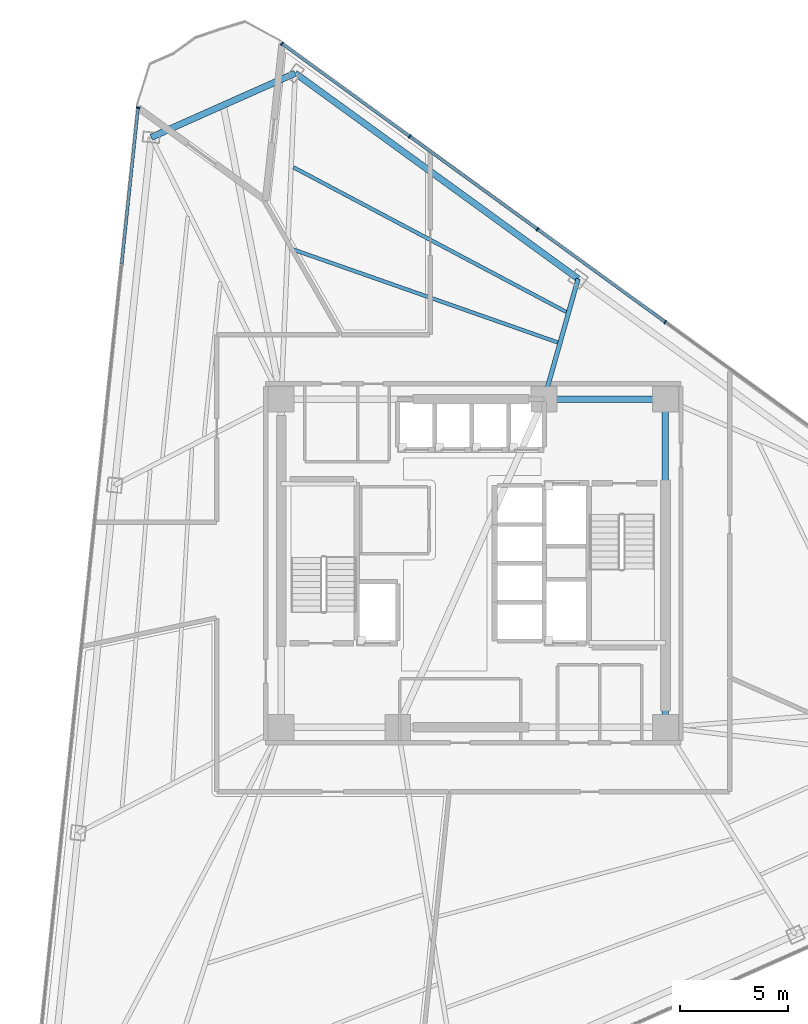
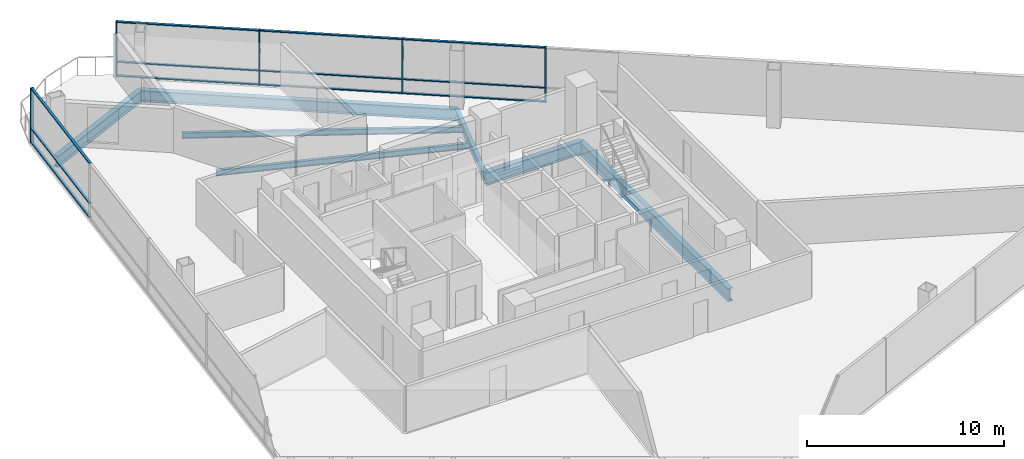
# One storey, part 8 of 16: 17 members, 7 beams, 2 elements without a shape of their own.
"""IFC4 building model written with IfcOpenShell, lengths in metres."""

from ifc_helpers import new_model, si_unit, direction, frame, origin, origin_2d, place, context, subcontext, project, spatial, rectangle, i_section, extrude, material, layer, layer_set, material_profile, profile_set, type_object, element, aggregate, save


model = new_model("IFC4")

# Units and contexts
model_context = context("Model", 3, precision=1e-05, world=origin(), true_north=direction((0.0, 1.0)))
body_context = subcontext(model_context, "Body", "Model", "MODEL_VIEW")
ifc_project = project(units=[si_unit("LENGTHUNIT", "METRE"), si_unit("AREAUNIT", "SQUARE_METRE"), si_unit("VOLUMEUNIT", "CUBIC_METRE"), si_unit("PLANEANGLEUNIT", "RADIAN"), si_unit("MASSUNIT", "GRAM", prefix="KILO")], contexts=[model_context])

# Site, building, storey
site_placement = place(None, origin())
site = spatial("IfcSite", under=ifc_project, at=site_placement, CompositionType="ELEMENT")
building_placement = place(site_placement, origin())
building = spatial("IfcBuilding", under=site, at=building_placement, Name="Tharavind Bronze Gate", CompositionType="ELEMENT")
storey_placement = place(building_placement, frame((0.0, 0.0, 130.449951171875)))
storey = spatial("IfcBuildingStorey", under=building, at=storey_placement, Name="L33", CompositionType="ELEMENT", Elevation=130.449951171875)

# Curtain wall, member
ifc_material_1 = material(Name="Anodised Bronze Aluminium", Category="aluminium")
ifc_layer = layer(ifc_material_1, 0.219970703125)
ifc_layer_set = layer_set([ifc_layer], Name="Anodised Bronze Aluminium")
curtain_wall_type = type_object("IfcCurtainWallType", Name="UNITISED CURTAIN WALL LOWER OFFICE", PredefinedType="USERDEFINED", material=ifc_layer_set)
curtain_wall_1_placement = place(storey_placement, origin())
curtain_wall_1 = element("IfcCurtainWall", 1, at=curtain_wall_1_placement, inside=storey, type_object=curtain_wall_type, Name="L33 unitised curtain wall lower office CW-L33-S1", ObjectType="UNITISED CURTAIN WALL", PredefinedType="USERDEFINED")
member_type_1 = type_object("IfcMemberType", Name="CURTAIN WALL BRONZE MULLION 65X180", PredefinedType="MULLION", material=ifc_material_1)
member_1_placement = place(storey_placement, frame((-15.527587890625, 21.101806640625, 0.0), z_axis=(0.0, 0.0, 1.0), x_axis=(-0.104526727499, -0.994522077803, 0.0)))
member_1 = element("IfcMember", 2, at=member_1_placement, type_object=member_type_1, Name="CW-L33-S1 mullion 1", PredefinedType="MULLION", context=body_context, shape_type="SweptSolid", body=[
    extrude(rectangle(XDim=0.06494140625, YDim=0.179931640625, at=origin_2d()), origin(), (0.0, 0.0, 1.0), 3.409912109375),
])

# Curtain wall, members
curtain_wall_2_placement = place(storey_placement, origin())
curtain_wall_2 = element("IfcCurtainWall", 3, at=curtain_wall_2_placement, inside=storey, type_object=curtain_wall_type, Name="L33 unitised curtain wall lower office CW-L33-S3", ObjectType="UNITISED CURTAIN WALL", PredefinedType="USERDEFINED")
member_2_placement = place(storey_placement, frame((8.89111328125, 11.1748046875, 0.0), z_axis=(0.0, 0.0, 1.0), x_axis=(-0.809016994375, 0.587785252292, 0.0)))
member_2 = element("IfcMember", 4, at=member_2_placement, type_object=member_type_1, Name="CW-L33-S3 mullion 5", PredefinedType="MULLION", context=body_context, shape_type="SweptSolid", body=[
    extrude(rectangle(XDim=0.06494140625, YDim=0.179931640625, at=origin_2d()), origin(), (0.0, 0.0, 1.0), 3.409912109375),
])
member_3_placement = place(storey_placement, frame((2.974609375, 15.473388671875, 0.0), z_axis=(0.0, 0.0, 1.0), x_axis=(-0.809016994375, 0.587785252292, 0.0)))
member_3 = element("IfcMember", 5, at=member_3_placement, type_object=member_type_1, Name="CW-L33-S3 mullion 6", PredefinedType="MULLION", context=body_context, shape_type="SweptSolid", body=[
    extrude(rectangle(XDim=0.06494140625, YDim=0.179931640625, at=origin_2d()), origin(), (0.0, 0.0, 1.0), 3.409912109375),
])
member_4_placement = place(storey_placement, frame((-2.942138671875, 19.772216796875, 0.0), z_axis=(0.0, 0.0, 1.0), x_axis=(-0.809016994375, 0.587785252292, 0.0)))
member_4 = element("IfcMember", 6, at=member_4_placement, type_object=member_type_1, Name="CW-L33-S3 mullion 7", PredefinedType="MULLION", context=body_context, shape_type="SweptSolid", body=[
    extrude(rectangle(XDim=0.06494140625, YDim=0.179931640625, at=origin_2d()), origin(), (0.0, 0.0, 1.0), 3.409912109375),
])
member_5_placement = place(storey_placement, frame((-8.85888671875, 24.07080078125, 0.0), z_axis=(0.0, 0.0, 1.0), x_axis=(-0.809016994375, 0.587785252292, 0.0)))
member_5 = element("IfcMember", 7, at=member_5_placement, type_object=member_type_1, Name="CW-L33-S3 mullion 8", PredefinedType="MULLION", context=body_context, shape_type="SweptSolid", body=[
    extrude(rectangle(XDim=0.06494140625, YDim=0.179931640625, at=origin_2d()), origin(), (0.0, 0.0, 1.0), 3.409912109375),
])

# Member
member_type_2 = type_object("IfcMemberType", Name="CURTAIN WALL BRONZE TRANSOM 65X140", PredefinedType="USERDEFINED", material=ifc_material_1)
member_6_placement = place(storey_placement, frame((-15.909912109375, 17.465087890625, 0.0), z_axis=(0.0, 0.0, 1.0), x_axis=(-0.104526727499, -0.994522077803, 0.0)))
member_6 = element("IfcMember", 8, at=member_6_placement, type_object=member_type_2, Name="CW-L33-S1 transom TB1", ObjectType="TRANSOM", PredefinedType="USERDEFINED", context=body_context, shape_type="SweptSolid", body=[
    extrude(rectangle(XDim=7.26025390625, YDim=0.139892578125, at=origin_2d()), origin(), (0.0, 0.0, 1.0), 0.06494140625),
])

member_7_placement = place(storey_placement, frame((-15.909912109375, 17.465087890625, 0.86767578125), z_axis=(0.0, 0.0, 1.0), x_axis=(-0.104526727499, -0.994522077803, 0.0)))
member_7 = element("IfcMember", 9, at=member_7_placement, type_object=member_type_2, Name="CW-L33-S1 transom TS1", ObjectType="TRANSOM", PredefinedType="USERDEFINED", context=body_context, shape_type="SweptSolid", body=[
    extrude(rectangle(XDim=7.26025390625, YDim=0.139892578125, at=origin_2d()), origin(), (0.0, 0.0, 1.0), 0.06494140625),
])

member_8_placement = place(storey_placement, frame((-15.909912109375, 17.465087890625, 3.344970703125), z_axis=(0.0, 0.0, 1.0), x_axis=(-0.104526727499, -0.994522077803, 0.0)))
member_8 = element("IfcMember", 10, at=member_8_placement, type_object=member_type_2, Name="CW-L33-S1 transom TT1", ObjectType="TRANSOM", PredefinedType="USERDEFINED", context=body_context, shape_type="SweptSolid", body=[
    extrude(rectangle(XDim=7.26025390625, YDim=0.139892578125, at=origin_2d()), origin(), (0.0, 0.0, 1.0), 0.06494140625),
])

aggregate(curtain_wall_1, [member_1, member_6, member_7, member_8])

member_9_placement = place(storey_placement, frame((5.932861328125, 13.32421875, 0.0), z_axis=(0.0, 0.0, 1.0), x_axis=(-0.809016994375, 0.587785252292, 0.0)))
member_9 = element("IfcMember", 11, at=member_9_placement, type_object=member_type_2, Name="CW-L33-S3 transom TB5", ObjectType="TRANSOM", PredefinedType="USERDEFINED", context=body_context, shape_type="SweptSolid", body=[
    extrude(rectangle(XDim=7.260498046875, YDim=0.139892578125, at=origin_2d()), origin(), (0.0, 0.0, 1.0), 0.06494140625),
])

member_10_placement = place(storey_placement, frame((5.932861328125, 13.32421875, 0.86767578125), z_axis=(0.0, 0.0, 1.0), x_axis=(-0.809016994375, 0.587785252292, 0.0)))
member_10 = element("IfcMember", 12, at=member_10_placement, type_object=member_type_2, Name="CW-L33-S3 transom TS5", ObjectType="TRANSOM", PredefinedType="USERDEFINED", context=body_context, shape_type="SweptSolid", body=[
    extrude(rectangle(XDim=7.260498046875, YDim=0.139892578125, at=origin_2d()), origin(), (0.0, 0.0, 1.0), 0.06494140625),
])

member_11_placement = place(storey_placement, frame((5.932861328125, 13.32421875, 3.344970703125), z_axis=(0.0, 0.0, 1.0), x_axis=(-0.809016994375, 0.587785252292, 0.0)))
member_11 = element("IfcMember", 13, at=member_11_placement, type_object=member_type_2, Name="CW-L33-S3 transom TT5", ObjectType="TRANSOM", PredefinedType="USERDEFINED", context=body_context, shape_type="SweptSolid", body=[
    extrude(rectangle(XDim=7.260498046875, YDim=0.139892578125, at=origin_2d()), origin(), (0.0, 0.0, 1.0), 0.06494140625),
])

member_12_placement = place(storey_placement, frame((0.01611328125, 17.622802734375, 0.0), z_axis=(0.0, 0.0, 1.0), x_axis=(-0.809016994375, 0.587785252292, 0.0)))
member_12 = element("IfcMember", 14, at=member_12_placement, type_object=member_type_2, Name="CW-L33-S3 transom TB6", ObjectType="TRANSOM", PredefinedType="USERDEFINED", context=body_context, shape_type="SweptSolid", body=[
    extrude(rectangle(XDim=7.260498046875, YDim=0.139892578125, at=origin_2d()), origin(), (0.0, 0.0, 1.0), 0.06494140625),
])

member_13_placement = place(storey_placement, frame((0.01611328125, 17.622802734375, 0.86767578125), z_axis=(0.0, 0.0, 1.0), x_axis=(-0.809016994375, 0.587785252292, 0.0)))
member_13 = element("IfcMember", 15, at=member_13_placement, type_object=member_type_2, Name="CW-L33-S3 transom TS6", ObjectType="TRANSOM", PredefinedType="USERDEFINED", context=body_context, shape_type="SweptSolid", body=[
    extrude(rectangle(XDim=7.260498046875, YDim=0.139892578125, at=origin_2d()), origin(), (0.0, 0.0, 1.0), 0.06494140625),
])

member_14_placement = place(storey_placement, frame((0.01611328125, 17.622802734375, 3.344970703125), z_axis=(0.0, 0.0, 1.0), x_axis=(-0.809016994375, 0.587785252292, 0.0)))
member_14 = element("IfcMember", 16, at=member_14_placement, type_object=member_type_2, Name="CW-L33-S3 transom TT6", ObjectType="TRANSOM", PredefinedType="USERDEFINED", context=body_context, shape_type="SweptSolid", body=[
    extrude(rectangle(XDim=7.260498046875, YDim=0.139892578125, at=origin_2d()), origin(), (0.0, 0.0, 1.0), 0.06494140625),
])

member_15_placement = place(storey_placement, frame((-5.900390625, 21.921630859375, 0.0), z_axis=(0.0, 0.0, 1.0), x_axis=(-0.809016994375, 0.587785252292, 0.0)))
member_15 = element("IfcMember", 17, at=member_15_placement, type_object=member_type_2, Name="CW-L33-S3 transom TB7", ObjectType="TRANSOM", PredefinedType="USERDEFINED", context=body_context, shape_type="SweptSolid", body=[
    extrude(rectangle(XDim=7.260498046875, YDim=0.139892578125, at=origin_2d()), origin(), (0.0, 0.0, 1.0), 0.06494140625),
])

member_16_placement = place(storey_placement, frame((-5.900390625, 21.921630859375, 0.86767578125), z_axis=(0.0, 0.0, 1.0), x_axis=(-0.809016994375, 0.587785252292, 0.0)))
member_16 = element("IfcMember", 18, at=member_16_placement, type_object=member_type_2, Name="CW-L33-S3 transom TS7", ObjectType="TRANSOM", PredefinedType="USERDEFINED", context=body_context, shape_type="SweptSolid", body=[
    extrude(rectangle(XDim=7.260498046875, YDim=0.139892578125, at=origin_2d()), origin(), (0.0, 0.0, 1.0), 0.06494140625),
])

member_17_placement = place(storey_placement, frame((-5.900390625, 21.921630859375, 3.344970703125), z_axis=(0.0, 0.0, 1.0), x_axis=(-0.809016994375, 0.587785252292, 0.0)))
member_17 = element("IfcMember", 19, at=member_17_placement, type_object=member_type_2, Name="CW-L33-S3 transom TT7", ObjectType="TRANSOM", PredefinedType="USERDEFINED", context=body_context, shape_type="SweptSolid", body=[
    extrude(rectangle(XDim=7.260498046875, YDim=0.139892578125, at=origin_2d()), origin(), (0.0, 0.0, 1.0), 0.06494140625),
])

aggregate(curtain_wall_2, [member_2, member_3, member_4, member_5, member_9, member_10, member_11, member_12, member_13, member_14, member_15, member_16, member_17])

# Beams
ifc_material_2 = material(Name="Steel S355", Category="steel")
ifc_material_profile_1 = material_profile(ifc_material_2, i_section(OverallWidth=0.2099609375, OverallDepth=0.550048828125, WebThickness=0.010986328125, FlangeThickness=0.01708984375, at=origin_2d()), Name="IPE550")
ifc_profile_set_1 = profile_set([ifc_material_profile_1], Name="Steel S355")
beam_type_1 = type_object("IfcBeamType", Name="PRIMARY GIRDER IPE550", PredefinedType="USERDEFINED", material=ifc_profile_set_1)
beam_1_placement = place(storey_placement, frame((4.856201171875, 13.179443359375, -0.46484375), z_axis=(-0.271861210874, -0.962336470275, 0.0), x_axis=(0.962336470275, -0.271861210874, 0.0)))
element("IfcBeam", 20, at=beam_1_placement, inside=storey, type_object=beam_type_1, Name="L33 primary girder ipe550 BM-L33-RAD11", ObjectType="GIRDER", PredefinedType="USERDEFINED", context=body_context, shape_type="SweptSolid", body=[
    extrude(i_section(OverallWidth=0.2099609375, OverallDepth=0.550048828125, WebThickness=0.010986328125, FlangeThickness=0.01708984375, at=origin_2d()), origin(), (0.0, 0.0, 1.0), 5.797607421875),
])
ifc_material_profile_2 = material_profile(ifc_material_2, i_section(OverallWidth=0.300048828125, OverallDepth=0.699951171875, WebThickness=0.01708984375, FlangeThickness=0.031982421875, at=origin_2d()), Name="HE700B")
ifc_profile_set_2 = profile_set([ifc_material_profile_2], Name="Steel S355")
beam_type_2 = type_object("IfcBeamType", Name="RING GIRDER HE700B", PredefinedType="USERDEFINED", material=ifc_profile_set_2)
beam_2_placement = place(storey_placement, frame((4.856201171875, 13.179443359375, -0.5400390625), z_axis=(-0.809014294341, 0.587788968553, 0.0), x_axis=(-0.587788968553, -0.809014294341, 0.0)))
element("IfcBeam", 21, at=beam_2_placement, inside=storey, type_object=beam_type_2, Name="L33 ring girder he700b BM-L33-PRG11", ObjectType="GIRDER", PredefinedType="USERDEFINED", context=body_context, shape_type="SweptSolid", body=[
    extrude(i_section(OverallWidth=0.300048828125, OverallDepth=0.699951171875, WebThickness=0.01708984375, FlangeThickness=0.031982421875, at=origin_2d()), origin(), (0.0, 0.0, 1.0), 16.198486328125),
])
beam_3_placement = place(storey_placement, frame((-8.24853515625, 22.70068359375, -0.5400390625), z_axis=(-0.913543802, -0.40674036169, 0.0), x_axis=(0.40674036169, -0.913543802, 0.0)))
element("IfcBeam", 22, at=beam_3_placement, inside=storey, type_object=beam_type_2, Name="L33 ring girder he700b BM-L33-PRG12", ObjectType="GIRDER", PredefinedType="USERDEFINED", context=body_context, shape_type="SweptSolid", body=[
    extrude(i_section(OverallWidth=0.300048828125, OverallDepth=0.699951171875, WebThickness=0.01708984375, FlangeThickness=0.031982421875, at=origin_2d()), origin(), (0.0, 0.0, 1.0), 7.300048828125),
])
ifc_material_profile_3 = material_profile(ifc_material_2, i_section(OverallWidth=0.300048828125, OverallDepth=0.800048828125, WebThickness=0.017578125, FlangeThickness=0.032958984375, at=origin_2d()), Name="HE800B")
ifc_profile_set_3 = profile_set([ifc_material_profile_3], Name="Steel S355")
beam_type_3 = type_object("IfcBeamType", Name="RING GIRDER HE800B", PredefinedType="USERDEFINED", material=ifc_profile_set_3)
beam_4_placement = place(storey_placement, frame((8.89990234375, -7.60009765625, -0.58984375), z_axis=(0.0, 1.0, 0.0), x_axis=(-1.0, 0.0, 0.0)))
element("IfcBeam", 23, at=beam_4_placement, inside=storey, type_object=beam_type_3, Name="L33 ring girder he800b BM-L33-CR3", ObjectType="GIRDER", PredefinedType="USERDEFINED", context=body_context, shape_type="SweptSolid", body=[
    extrude(i_section(OverallWidth=0.300048828125, OverallDepth=0.800048828125, WebThickness=0.017578125, FlangeThickness=0.032958984375, at=origin_2d()), origin(), (0.0, 0.0, 1.0), 15.2001953125),
])
beam_5_placement = place(storey_placement, frame((8.89990234375, 7.60009765625, -0.58984375), z_axis=(-1.0, 0.0, 0.0), x_axis=(0.0, -1.0, 0.0)))
element("IfcBeam", 24, at=beam_5_placement, inside=storey, type_object=beam_type_3, Name="L33 ring girder he800b BM-L33-CR4", ObjectType="GIRDER", PredefinedType="USERDEFINED", context=body_context, shape_type="SweptSolid", body=[
    extrude(i_section(OverallWidth=0.300048828125, OverallDepth=0.800048828125, WebThickness=0.017578125, FlangeThickness=0.032958984375, at=origin_2d()), origin(), (0.0, 0.0, 1.0), 5.619873046875),
])
ifc_material_profile_4 = material_profile(ifc_material_2, i_section(OverallWidth=0.169921875, OverallDepth=0.360107421875, WebThickness=0.008056640625, FlangeThickness=0.0126953125, at=origin_2d()), Name="IPE360")
ifc_profile_set_4 = profile_set([ifc_material_profile_4], Name="Steel S355")
beam_type_4 = type_object("IfcBeamType", Name="SECONDARY FLOOR JOIST IPE360", PredefinedType="JOIST", material=ifc_profile_set_4)
beam_6_placement = place(storey_placement, frame((3.909912109375, 10.230712890625, -0.369873046875), z_axis=(-0.94354019652, 0.33125805281, 0.0), x_axis=(-0.33125805281, -0.94354019652, 0.0)))
element("IfcBeam", 25, at=beam_6_placement, inside=storey, type_object=beam_type_4, Name="L33 secondary floor joist ipe360 BM-L33-JSTA11", PredefinedType="JOIST", context=body_context, shape_type="SweptSolid", body=[
    extrude(i_section(OverallWidth=0.169921875, OverallDepth=0.360107421875, WebThickness=0.008056640625, FlangeThickness=0.0126953125, at=origin_2d()), origin(), (0.0, 0.0, 1.0), 13.1416015625),
])
beam_7_placement = place(storey_placement, frame((4.30859375, 11.6416015625, -0.369873046875), z_axis=(-0.883525360926, 0.468383322291, 0.0), x_axis=(-0.468383322291, -0.883525360926, 0.0)))
element("IfcBeam", 26, at=beam_7_placement, inside=storey, type_object=beam_type_4, Name="L33 secondary floor joist ipe360 BM-L33-JSTB11", PredefinedType="JOIST", context=body_context, shape_type="SweptSolid", body=[
    extrude(i_section(OverallWidth=0.169921875, OverallDepth=0.360107421875, WebThickness=0.008056640625, FlangeThickness=0.0126953125, at=origin_2d()), origin(), (0.0, 0.0, 1.0), 14.30224609375),
])

save(model, "model.ifc")
